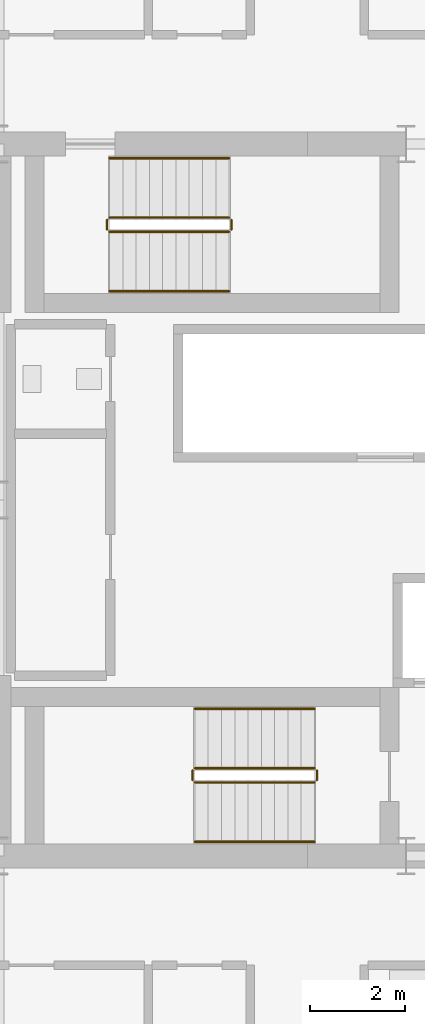
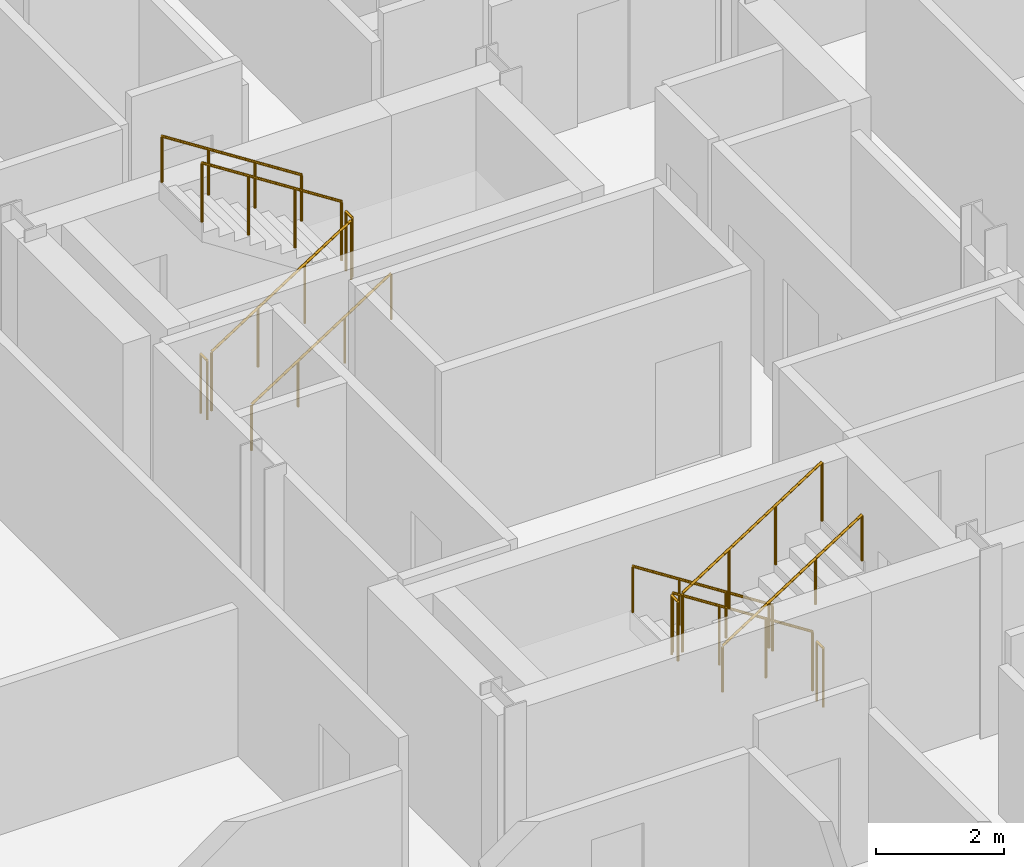
# One storey, part 23 of 24: 12 railings.
"""IFC4 building model written with IfcOpenShell, lengths in metres."""

from ifc_helpers import new_model, si_unit, direction, frame, origin, origin_2d, place, context, subcontext, project, spatial, circle, extrude, material, type_object, element, save


model = new_model("IFC4")

# Units and contexts
model_context = context("Model", 3, precision=1e-05, world=origin(), true_north=direction((0.0, 1.0)))
body_context = subcontext(model_context, "Body", "Model", "MODEL_VIEW")
ifc_project = project(units=[si_unit("LENGTHUNIT", "METRE"), si_unit("AREAUNIT", "SQUARE_METRE"), si_unit("VOLUMEUNIT", "CUBIC_METRE"), si_unit("PLANEANGLEUNIT", "RADIAN"), si_unit("MASSUNIT", "GRAM", prefix="KILO")], contexts=[model_context])

# Site, building, storey
site_placement = place(None, origin())
site = spatial("IfcSite", under=ifc_project, at=site_placement, CompositionType="ELEMENT")
building_placement = place(site_placement, origin())
building = spatial("IfcBuilding", under=site, at=building_placement, Name="Barlavira Tower and Art Museum", CompositionType="ELEMENT")
storey_placement = place(building_placement, frame((0.0, 0.0, 172.800048828125)))
storey = spatial("IfcBuildingStorey", under=building, at=storey_placement, Name="L44", CompositionType="ELEMENT", Elevation=172.800048828125)

# Railings
ifc_material = material(Name="Brushed stainless steel", Category="steel")
railing_type_1 = type_object("IfcRailingType", Name="Interior Void and Landing Guard Railing 1150", PredefinedType="GUARDRAIL", material=ifc_material)
railing_1_placement = place(storey_placement, frame((0.14990234375, -5.64990234375, 0.179931640625)))
element("IfcRailing", 1, at=railing_1_placement, inside=storey, type_object=railing_type_1, Name="L44 ST-T1 stair guard 1", PredefinedType="GUARDRAIL", context=body_context, shape_type="SweptSolid", body=[
    extrude(circle(Radius=0.02392578125, at=origin_2d()), frame((0.0, 0.0, 1.1259765625), z_axis=(-0.841162588446, 0.0, 0.540782303519), x_axis=(0.0, -1.0, 0.0)), (0.0, 0.0, 1.0), 2.995849609375),
    extrude(circle(Radius=0.02099609375, at=origin_2d()), origin(), (0.0, 0.0, 1.0), 1.101806640625),
    extrude(circle(Radius=0.02099609375, at=origin_2d()), frame((-0.840087890625, 0.0, 0.5400390625)), (0.0, 0.0, 1.0), 1.101806640625),
    extrude(circle(Radius=0.02099609375, at=origin_2d()), frame((-1.679931640625, 0.0, 1.080078125)), (0.0, 0.0, 1.0), 1.101806640625),
    extrude(circle(Radius=0.02099609375, at=origin_2d()), frame((-2.52001953125, 0.0, 1.6201171875)), (0.0, 0.0, 1.0), 1.101806640625),
])
railing_2_placement = place(storey_placement, frame((-2.419921875, -5.699951171875, 1.800048828125)))
element("IfcRailing", 2, at=railing_2_placement, inside=storey, type_object=railing_type_1, Name="L44 ST-T1 stair guard 2", PredefinedType="GUARDRAIL", context=body_context, shape_type="SweptSolid", body=[
    extrude(circle(Radius=0.02392578125, at=origin_2d()), frame((0.0, 0.0, 1.1259765625), z_axis=(0.0, -1.0, 0.0), x_axis=(1.0, 0.0, 0.0)), (0.0, 0.0, 1.0), 0.199951171875),
    extrude(circle(Radius=0.02099609375, at=origin_2d()), origin(), (0.0, 0.0, 1.0), 1.101806640625),
    extrude(circle(Radius=0.02099609375, at=origin_2d()), frame((0.0, -0.199951171875, 0.0)), (0.0, 0.0, 1.0), 1.101806640625),
])
railing_3_placement = place(storey_placement, frame((-2.3701171875, -5.949951171875, 1.97998046875)))
element("IfcRailing", 3, at=railing_3_placement, inside=storey, type_object=railing_type_1, Name="L44 ST-T1 stair guard 3", PredefinedType="GUARDRAIL", context=body_context, shape_type="SweptSolid", body=[
    extrude(circle(Radius=0.02392578125, at=origin_2d()), frame((0.0, 0.0, 1.1259765625), z_axis=(0.841199657755, 0.0, 0.540724639528), x_axis=(0.0, 1.0, 0.0)), (0.0, 0.0, 1.0), 2.995849609375),
    extrude(circle(Radius=0.02099609375, at=origin_2d()), origin(), (0.0, 0.0, 1.0), 1.101806640625),
    extrude(circle(Radius=0.02099609375, at=origin_2d()), frame((0.840087890625, 0.0, 0.5400390625)), (0.0, 0.0, 1.0), 1.101806640625),
    extrude(circle(Radius=0.02099609375, at=origin_2d()), frame((1.679931640625, 0.0, 1.079833984375)), (0.0, 0.0, 1.0), 1.101806640625),
    extrude(circle(Radius=0.02099609375, at=origin_2d()), frame((2.52001953125, 0.0, 1.619873046875)), (0.0, 0.0, 1.0), 1.101806640625),
])
railing_4_placement = place(storey_placement, frame((0.199951171875, -5.699951171875, 0.0)))
element("IfcRailing", 4, at=railing_4_placement, inside=storey, type_object=railing_type_1, Name="L44 ST-T1 stair guard 4", PredefinedType="GUARDRAIL", context=body_context, shape_type="SweptSolid", body=[
    extrude(circle(Radius=0.02392578125, at=origin_2d()), frame((0.0, 0.0, 1.1259765625), z_axis=(0.0, -1.0, 0.0), x_axis=(1.0, 0.0, 0.0)), (0.0, 0.0, 1.0), 0.199951171875),
    extrude(circle(Radius=0.02099609375, at=origin_2d()), origin(), (0.0, 0.0, 1.0), 1.101806640625),
    extrude(circle(Radius=0.02099609375, at=origin_2d()), frame((0.0, -0.199951171875, 0.0)), (0.0, 0.0, 1.0), 1.101806640625),
])
railing_5_placement = place(storey_placement, frame((-4.169921875, 5.64990234375, 0.179931640625)))
element("IfcRailing", 5, at=railing_5_placement, inside=storey, type_object=railing_type_1, Name="L44 ST-T2 stair guard 1", PredefinedType="GUARDRAIL", context=body_context, shape_type="SweptSolid", body=[
    extrude(circle(Radius=0.02392578125, at=origin_2d()), frame((0.0, 0.0, 1.1259765625), z_axis=(0.841162588446, 0.0, 0.540782303519), x_axis=(0.0, 1.0, 0.0)), (0.0, 0.0, 1.0), 2.995849609375),
    extrude(circle(Radius=0.02099609375, at=origin_2d()), origin(), (0.0, 0.0, 1.0), 1.101806640625),
    extrude(circle(Radius=0.02099609375, at=origin_2d()), frame((0.840087890625, 0.0, 0.5400390625)), (0.0, 0.0, 1.0), 1.101806640625),
    extrude(circle(Radius=0.02099609375, at=origin_2d()), frame((1.679931640625, 0.0, 1.080078125)), (0.0, 0.0, 1.0), 1.101806640625),
    extrude(circle(Radius=0.02099609375, at=origin_2d()), frame((2.52001953125, 0.0, 1.6201171875)), (0.0, 0.0, 1.0), 1.101806640625),
])
railing_6_placement = place(storey_placement, frame((-1.60009765625, 5.699951171875, 1.800048828125)))
element("IfcRailing", 6, at=railing_6_placement, inside=storey, type_object=railing_type_1, Name="L44 ST-T2 stair guard 2", PredefinedType="GUARDRAIL", context=body_context, shape_type="SweptSolid", body=[
    extrude(circle(Radius=0.02392578125, at=origin_2d()), frame((0.0, 0.0, 1.1259765625), z_axis=(0.0, 1.0, 0.0), x_axis=(-1.0, 0.0, 0.0)), (0.0, 0.0, 1.0), 0.199951171875),
    extrude(circle(Radius=0.02099609375, at=origin_2d()), origin(), (0.0, 0.0, 1.0), 1.101806640625),
    extrude(circle(Radius=0.02099609375, at=origin_2d()), frame((0.0, 0.199951171875, 0.0)), (0.0, 0.0, 1.0), 1.101806640625),
])
railing_7_placement = place(storey_placement, frame((-1.64990234375, 5.949951171875, 1.97998046875)))
element("IfcRailing", 7, at=railing_7_placement, inside=storey, type_object=railing_type_1, Name="L44 ST-T2 stair guard 3", PredefinedType="GUARDRAIL", context=body_context, shape_type="SweptSolid", body=[
    extrude(circle(Radius=0.02392578125, at=origin_2d()), frame((0.0, 0.0, 1.1259765625), z_axis=(-0.841199657755, 0.0, 0.540724639528), x_axis=(0.0, -1.0, 0.0)), (0.0, 0.0, 1.0), 2.995849609375),
    extrude(circle(Radius=0.02099609375, at=origin_2d()), origin(), (0.0, 0.0, 1.0), 1.101806640625),
    extrude(circle(Radius=0.02099609375, at=origin_2d()), frame((-0.840087890625, 0.0, 0.5400390625)), (0.0, 0.0, 1.0), 1.101806640625),
    extrude(circle(Radius=0.02099609375, at=origin_2d()), frame((-1.679931640625, 0.0, 1.079833984375)), (0.0, 0.0, 1.0), 1.101806640625),
    extrude(circle(Radius=0.02099609375, at=origin_2d()), frame((-2.52001953125, 0.0, 1.619873046875)), (0.0, 0.0, 1.0), 1.101806640625),
])
railing_8_placement = place(storey_placement, frame((-4.219970703125, 5.699951171875, 0.0)))
element("IfcRailing", 8, at=railing_8_placement, inside=storey, type_object=railing_type_1, Name="L44 ST-T2 stair guard 4", PredefinedType="GUARDRAIL", context=body_context, shape_type="SweptSolid", body=[
    extrude(circle(Radius=0.02392578125, at=origin_2d()), frame((0.0, 0.0, 1.1259765625), z_axis=(0.0, 1.0, 0.0), x_axis=(-1.0, 0.0, 0.0)), (0.0, 0.0, 1.0), 0.199951171875),
    extrude(circle(Radius=0.02099609375, at=origin_2d()), origin(), (0.0, 0.0, 1.0), 1.101806640625),
    extrude(circle(Radius=0.02099609375, at=origin_2d()), frame((0.0, 0.199951171875, 0.0)), (0.0, 0.0, 1.0), 1.101806640625),
])
railing_type_2 = type_object("IfcRailingType", Name="Stair Pitch Tubular Steel Handrail 920", PredefinedType="HANDRAIL", material=ifc_material)
railing_9_placement = place(storey_placement, frame((0.14990234375, -4.39990234375, 0.179931640625)))
element("IfcRailing", 9, at=railing_9_placement, inside=storey, type_object=railing_type_2, Name="L44 ST-T1 stair handrail 1", PredefinedType="HANDRAIL", context=body_context, shape_type="SweptSolid", body=[
    extrude(circle(Radius=0.02392578125, at=origin_2d()), frame((0.0, 0.0, 0.8759765625), z_axis=(-0.841162588446, 0.0, 0.540782303519), x_axis=(0.0, -1.0, 0.0)), (0.0, 0.0, 1.0), 2.995849609375),
    extrude(circle(Radius=0.02099609375, at=origin_2d()), origin(), (0.0, 0.0, 1.0), 0.851806640625),
    extrude(circle(Radius=0.02099609375, at=origin_2d()), frame((-0.840087890625, 0.0, 0.5400390625)), (0.0, 0.0, 1.0), 0.851806640625),
    extrude(circle(Radius=0.02099609375, at=origin_2d()), frame((-1.679931640625, 0.0, 1.080078125)), (0.0, 0.0, 1.0), 0.851806640625),
    extrude(circle(Radius=0.02099609375, at=origin_2d()), frame((-2.52001953125, 0.0, 1.6201171875)), (0.0, 0.0, 1.0), 0.851806640625),
])
railing_10_placement = place(storey_placement, frame((-2.3701171875, -7.199951171875, 1.97998046875)))
element("IfcRailing", 10, at=railing_10_placement, inside=storey, type_object=railing_type_2, Name="L44 ST-T1 stair handrail 2", PredefinedType="HANDRAIL", context=body_context, shape_type="SweptSolid", body=[
    extrude(circle(Radius=0.02392578125, at=origin_2d()), frame((0.0, 0.0, 0.8759765625), z_axis=(0.841199657755, 0.0, 0.540724639528), x_axis=(0.0, 1.0, 0.0)), (0.0, 0.0, 1.0), 2.995849609375),
    extrude(circle(Radius=0.02099609375, at=origin_2d()), origin(), (0.0, 0.0, 1.0), 0.851806640625),
    extrude(circle(Radius=0.02099609375, at=origin_2d()), frame((0.840087890625, 0.0, 0.5400390625)), (0.0, 0.0, 1.0), 0.851806640625),
    extrude(circle(Radius=0.02099609375, at=origin_2d()), frame((1.679931640625, 0.0, 1.079833984375)), (0.0, 0.0, 1.0), 0.851806640625),
    extrude(circle(Radius=0.02099609375, at=origin_2d()), frame((2.52001953125, 0.0, 1.619873046875)), (0.0, 0.0, 1.0), 0.851806640625),
])
railing_11_placement = place(storey_placement, frame((-4.169921875, 4.39990234375, 0.179931640625)))
element("IfcRailing", 11, at=railing_11_placement, inside=storey, type_object=railing_type_2, Name="L44 ST-T2 stair handrail 1", PredefinedType="HANDRAIL", context=body_context, shape_type="SweptSolid", body=[
    extrude(circle(Radius=0.02392578125, at=origin_2d()), frame((0.0, 0.0, 0.8759765625), z_axis=(0.841162588446, 0.0, 0.540782303519), x_axis=(0.0, 1.0, 0.0)), (0.0, 0.0, 1.0), 2.995849609375),
    extrude(circle(Radius=0.02099609375, at=origin_2d()), origin(), (0.0, 0.0, 1.0), 0.851806640625),
    extrude(circle(Radius=0.02099609375, at=origin_2d()), frame((0.840087890625, 0.0, 0.5400390625)), (0.0, 0.0, 1.0), 0.851806640625),
    extrude(circle(Radius=0.02099609375, at=origin_2d()), frame((1.679931640625, 0.0, 1.080078125)), (0.0, 0.0, 1.0), 0.851806640625),
    extrude(circle(Radius=0.02099609375, at=origin_2d()), frame((2.52001953125, 0.0, 1.6201171875)), (0.0, 0.0, 1.0), 0.851806640625),
])
railing_12_placement = place(storey_placement, frame((-1.64990234375, 7.199951171875, 1.97998046875)))
element("IfcRailing", 12, at=railing_12_placement, inside=storey, type_object=railing_type_2, Name="L44 ST-T2 stair handrail 2", PredefinedType="HANDRAIL", context=body_context, shape_type="SweptSolid", body=[
    extrude(circle(Radius=0.02392578125, at=origin_2d()), frame((0.0, 0.0, 0.8759765625), z_axis=(-0.841199657755, 0.0, 0.540724639528), x_axis=(0.0, -1.0, 0.0)), (0.0, 0.0, 1.0), 2.995849609375),
    extrude(circle(Radius=0.02099609375, at=origin_2d()), origin(), (0.0, 0.0, 1.0), 0.851806640625),
    extrude(circle(Radius=0.02099609375, at=origin_2d()), frame((-0.840087890625, 0.0, 0.5400390625)), (0.0, 0.0, 1.0), 0.851806640625),
    extrude(circle(Radius=0.02099609375, at=origin_2d()), frame((-1.679931640625, 0.0, 1.079833984375)), (0.0, 0.0, 1.0), 0.851806640625),
    extrude(circle(Radius=0.02099609375, at=origin_2d()), frame((-2.52001953125, 0.0, 1.619873046875)), (0.0, 0.0, 1.0), 0.851806640625),
])

save(model, "model.ifc")
